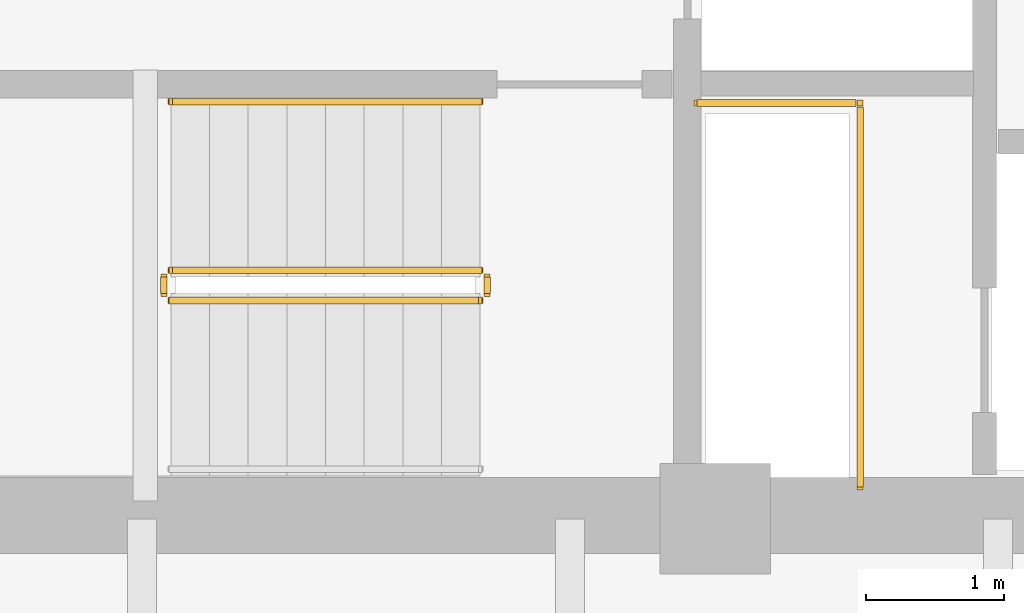
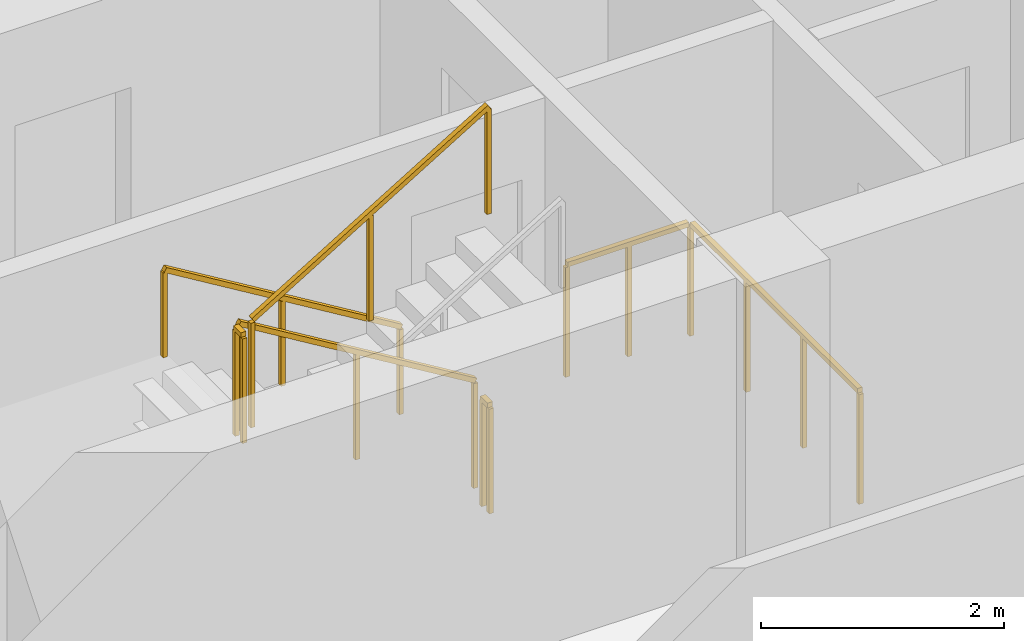
# One storey, part 8 of 12: 6 railings.
"""IFC4 building model written with IfcOpenShell, lengths in metres."""

from ifc_helpers import new_model, si_unit, direction, frame, origin, origin_2d, place, context, subcontext, project, spatial, rectangle, extrude, material, type_object, element, save


model = new_model("IFC4")

# Units and contexts
model_context = context("Model", 3, precision=1e-05, world=origin(), true_north=direction((0.0, 1.0)))
body_context = subcontext(model_context, "Body", "Model", "MODEL_VIEW")
ifc_project = project(units=[si_unit("LENGTHUNIT", "METRE"), si_unit("AREAUNIT", "SQUARE_METRE"), si_unit("VOLUMEUNIT", "CUBIC_METRE"), si_unit("PLANEANGLEUNIT", "RADIAN"), si_unit("MASSUNIT", "GRAM", prefix="KILO")], contexts=[model_context])

# Site, building, storey
site_placement = place(None, origin())
site = spatial("IfcSite", under=ifc_project, at=site_placement, CompositionType="ELEMENT")
building_placement = place(site_placement, origin())
building = spatial("IfcBuilding", under=site, at=building_placement, Name="Qhalaya Broadcast Tower", CompositionType="ELEMENT")
storey_placement = place(building_placement, frame((0.0, 0.0, 50.5)))
storey = spatial("IfcBuildingStorey", under=building, at=storey_placement, Name="L14", CompositionType="ELEMENT", Elevation=50.5)

# Railings
ifc_material = material(Name="Powder-Coated Galvanised Steel", Category="steel")
railing_type_1 = type_object("IfcRailingType", Name="Stair Wall Handrail 900", PredefinedType="HANDRAIL", material=ifc_material)
railing_1_placement = place(storey_placement, frame((-3.75, -5.72998046875, 0.16943359375)))
element("IfcRailing", 1, at=railing_1_placement, inside=storey, type_object=railing_type_1, Name="L14 ST-2 Stair Handrail 1", PredefinedType="HANDRAIL", context=body_context, shape_type="SweptSolid", body=[
    extrude(rectangle(XDim=0.048095703125, YDim=0.048095703125, at=origin_2d()), frame((0.0, 0.0, 0.8759765625), z_axis=(-0.855553338991, 0.0, 0.51771467445), x_axis=(0.0, -1.0, 0.0)), (0.0, 0.0, 1.0), 2.6181640625),
    extrude(rectangle(XDim=0.0419921875, YDim=0.0419921875, at=origin_2d()), origin(), (0.0, 0.0, 1.0), 0.849853515625),
    extrude(rectangle(XDim=0.0419921875, YDim=0.0419921875, at=origin_2d()), frame((-1.1201171875, 0.0, 0.677734375)), (0.0, 0.0, 1.0), 0.849853515625),
    extrude(rectangle(XDim=0.0419921875, YDim=0.0419921875, at=origin_2d()), frame((-2.239990234375, 0.0, 1.35546875)), (0.0, 0.0, 1.0), 0.849853515625),
])
railing_type_2 = type_object("IfcRailingType", Name="Stair Well & Landing Guardrail 1100", PredefinedType="GUARDRAIL", material=ifc_material)
railing_2_placement = place(storey_placement, frame((-1.0, -8.52001953125, 0.0)))
element("IfcRailing", 2, at=railing_2_placement, inside=storey, type_object=railing_type_2, Name="L14 Service Riser Opening Safety Guard SRSR", PredefinedType="GUARDRAIL", context=body_context, shape_type="SweptSolid", body=[
    extrude(rectangle(XDim=0.048095703125, YDim=0.048095703125, at=origin_2d()), frame((0.0, 0.0, 1.1259765625), z_axis=(0.0, 1.0, 0.0), x_axis=(-1.0, 0.0, 0.0)), (0.0, 0.0, 1.0), 2.751220703125),
    extrude(rectangle(XDim=0.048095703125, YDim=0.048095703125, at=origin_2d()), frame((-0.02880859375, 2.780029296875, 1.1259765625), z_axis=(-1.0, 0.0, 0.0), x_axis=(0.0, -1.0, 0.0)), (0.0, 0.0, 1.0), 1.151123046875),
    extrude(rectangle(XDim=0.0419921875, YDim=0.0419921875, at=origin_2d()), origin(), (0.0, 0.0, 1.0), 1.099853515625),
    extrude(rectangle(XDim=0.0419921875, YDim=0.0419921875, at=origin_2d()), frame((0.0, 0.9267578125, 0.0)), (0.0, 0.0, 1.0), 1.099853515625),
    extrude(rectangle(XDim=0.0419921875, YDim=0.0419921875, at=origin_2d()), frame((0.0, 1.853271484375, 0.0)), (0.0, 0.0, 1.0), 1.099853515625),
    extrude(rectangle(XDim=0.0419921875, YDim=0.0419921875, at=origin_2d()), frame((0.0, 2.780029296875, 0.0)), (0.0, 0.0, 1.0), 1.099853515625),
    extrude(rectangle(XDim=0.0419921875, YDim=0.0419921875, at=origin_2d()), frame((-0.58984375, 2.780029296875, 0.0)), (0.0, 0.0, 1.0), 1.099853515625),
    extrude(rectangle(XDim=0.0419921875, YDim=0.0419921875, at=origin_2d()), frame((-1.179931640625, 2.780029296875, 0.0)), (0.0, 0.0, 1.0), 1.099853515625),
])
railing_3_placement = place(storey_placement, frame((-3.75, -6.949951171875, 0.16943359375)))
element("IfcRailing", 3, at=railing_3_placement, inside=storey, type_object=railing_type_2, Name="L14 ST-2 Stair Guard 1", PredefinedType="GUARDRAIL", context=body_context, shape_type="SweptSolid", body=[
    extrude(rectangle(XDim=0.048095703125, YDim=0.048095703125, at=origin_2d()), frame((0.0, 0.0, 1.076171875), z_axis=(-0.855553338991, 0.0, 0.51771467445), x_axis=(0.0, -1.0, 0.0)), (0.0, 0.0, 1.0), 2.6181640625),
    extrude(rectangle(XDim=0.0419921875, YDim=0.0419921875, at=origin_2d()), origin(), (0.0, 0.0, 1.0), 1.050048828125),
    extrude(rectangle(XDim=0.0419921875, YDim=0.0419921875, at=origin_2d()), frame((-1.1201171875, 0.0, 0.677734375)), (0.0, 0.0, 1.0), 1.050048828125),
    extrude(rectangle(XDim=0.0419921875, YDim=0.0419921875, at=origin_2d()), frame((-2.239990234375, 0.0, 1.35546875)), (0.0, 0.0, 1.0), 1.050048828125),
])
railing_4_placement = place(storey_placement, frame((-6.0400390625, -7.0, 1.52490234375)))
element("IfcRailing", 4, at=railing_4_placement, inside=storey, type_object=railing_type_2, Name="L14 ST-2 Stair Guard 2", PredefinedType="GUARDRAIL", context=body_context, shape_type="SweptSolid", body=[
    extrude(rectangle(XDim=0.048095703125, YDim=0.048095703125, at=origin_2d()), frame((0.0, 0.0, 1.076171875), z_axis=(0.0, -1.0, 0.0), x_axis=(1.0, 0.0, 0.0)), (0.0, 0.0, 1.0), 0.1201171875),
    extrude(rectangle(XDim=0.0419921875, YDim=0.0419921875, at=origin_2d()), origin(), (0.0, 0.0, 1.0), 1.050048828125),
    extrude(rectangle(XDim=0.0419921875, YDim=0.0419921875, at=origin_2d()), frame((0.0, -0.1201171875, 0.0)), (0.0, 0.0, 1.0), 1.050048828125),
])
railing_5_placement = place(storey_placement, frame((-5.989990234375, -7.169921875, 1.6943359375)))
element("IfcRailing", 5, at=railing_5_placement, inside=storey, type_object=railing_type_2, Name="L14 ST-2 Stair Guard 3", PredefinedType="GUARDRAIL", context=body_context, shape_type="SweptSolid", body=[
    extrude(rectangle(XDim=0.048095703125, YDim=0.048095703125, at=origin_2d()), frame((0.0, 0.0, 1.076171875), z_axis=(0.855512035549, 0.0, 0.517782924622), x_axis=(0.0, 1.0, 0.0)), (0.0, 0.0, 1.0), 2.618408203125),
    extrude(rectangle(XDim=0.0419921875, YDim=0.0419921875, at=origin_2d()), origin(), (0.0, 0.0, 1.0), 1.050048828125),
    extrude(rectangle(XDim=0.0419921875, YDim=0.0419921875, at=origin_2d()), frame((1.1201171875, 0.0, 0.677734375)), (0.0, 0.0, 1.0), 1.050048828125),
    extrude(rectangle(XDim=0.0419921875, YDim=0.0419921875, at=origin_2d()), frame((2.239990234375, 0.0, 1.355712890625)), (0.0, 0.0, 1.0), 1.050048828125),
])
railing_6_placement = place(storey_placement, frame((-3.699951171875, -7.0, 0.0)))
element("IfcRailing", 6, at=railing_6_placement, inside=storey, type_object=railing_type_2, Name="L14 ST-2 Stair Guard 4", PredefinedType="GUARDRAIL", context=body_context, shape_type="SweptSolid", body=[
    extrude(rectangle(XDim=0.048095703125, YDim=0.048095703125, at=origin_2d()), frame((0.0, 0.0, 1.076171875), z_axis=(0.0, -1.0, 0.0), x_axis=(1.0, 0.0, 0.0)), (0.0, 0.0, 1.0), 0.1201171875),
    extrude(rectangle(XDim=0.0419921875, YDim=0.0419921875, at=origin_2d()), origin(), (0.0, 0.0, 1.0), 1.050048828125),
    extrude(rectangle(XDim=0.0419921875, YDim=0.0419921875, at=origin_2d()), frame((0.0, -0.1201171875, 0.0)), (0.0, 0.0, 1.0), 1.050048828125),
])

save(model, "model.ifc")
